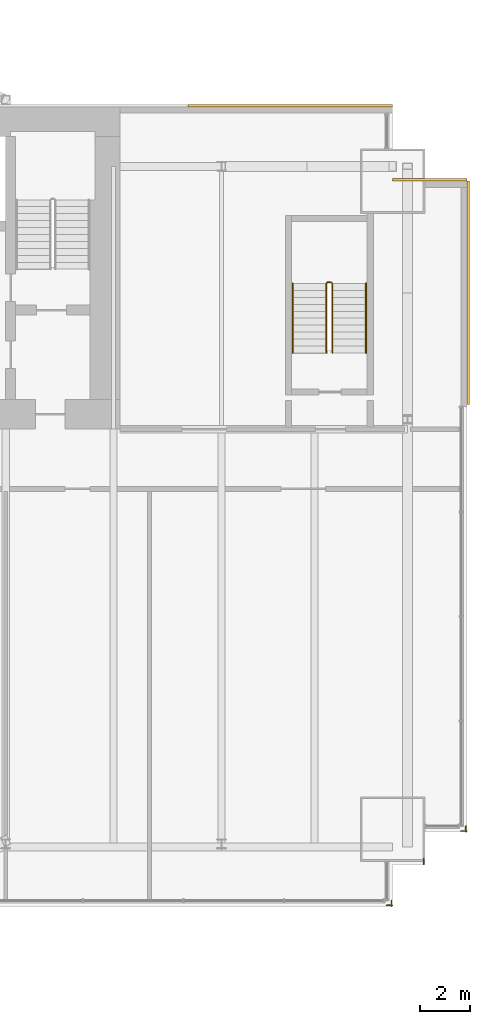
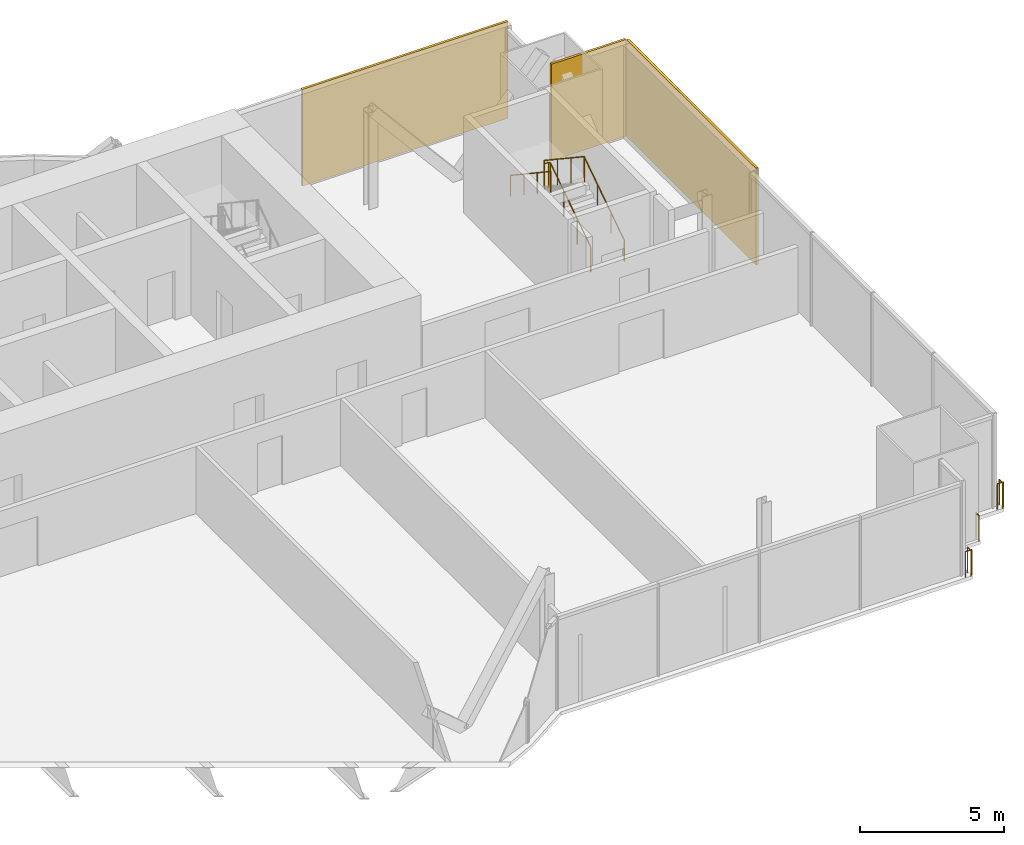
# One storey, part 20 of 20: 6 railings, 3 coverings.
"""IFC4 building model written with IfcOpenShell, lengths in metres."""

from ifc_helpers import new_model, si_unit, direction, frame, origin, origin_2d, place, context, subcontext, project, spatial, rectangle, circle, extrude, material, layer, layer_set, type_object, element, save


model = new_model("IFC4")

# Units and contexts
model_context = context("Model", 3, precision=1e-05, world=origin(), true_north=direction((0.0, 1.0)))
body_context = subcontext(model_context, "Body", "Model", "MODEL_VIEW")
ifc_project = project(units=[si_unit("LENGTHUNIT", "METRE"), si_unit("AREAUNIT", "SQUARE_METRE"), si_unit("VOLUMEUNIT", "CUBIC_METRE"), si_unit("PLANEANGLEUNIT", "RADIAN"), si_unit("MASSUNIT", "GRAM", prefix="KILO")], contexts=[model_context])

# Site, building, storey
site_placement = place(None, origin())
site = spatial("IfcSite", under=ifc_project, at=site_placement, CompositionType="ELEMENT")
building_placement = place(site_placement, origin())
building = spatial("IfcBuilding", under=site, at=building_placement, Name="Bicima Exchange Tower", CompositionType="ELEMENT")
storey_placement = place(building_placement, frame((0.0, 0.0, 207.300048828125)))
storey = spatial("IfcBuildingStorey", under=building, at=storey_placement, Name="L46", CompositionType="ELEMENT", Elevation=207.300048828125)

# Coverings
ifc_material_1 = material(Name="Bronze metal cladding")
ifc_layer_1 = layer(ifc_material_1, 0.004)
ifc_material_2 = material(Name="Ventilated cavity")
ifc_layer_2 = layer(ifc_material_2, 0.06)
ifc_material_3 = material(Name="Galvanised steel rail and mineral wool", Category="steel")
ifc_layer_3 = layer(ifc_material_3, 0.036)
ifc_layer_set = layer_set([ifc_layer_1, ifc_layer_2, ifc_layer_3], Name="Ventilated cavity")
covering_type = type_object("IfcCoveringType", Name="Bronze metal cladding panel 100", PredefinedType="CLADDING", material=ifc_layer_set)
covering_1_placement = place(storey_placement, frame((28.875, 0.050048828125, -0.150146484375), z_axis=(0.0, 0.0, 1.0), x_axis=(-1.0, 0.0, 0.0)))
element("IfcCovering", 1, at=covering_1_placement, inside=storey, type_object=covering_type, Name="Bronze cladding L46 1.1", PredefinedType="CLADDING", context=body_context, shape_type="SweptSolid", body=[
    extrude(rectangle(XDim=8.25, YDim=0.10009765625, at=origin_2d()), origin(), (0.0, 0.0, 1.0), 4.10009765625),
])
covering_2_placement = place(storey_placement, frame((36.050048828125, -7.5, -0.150146484375), z_axis=(0.0, 0.0, 1.0), x_axis=(0.0, 1.0, 0.0)))
element("IfcCovering", 2, at=covering_2_placement, inside=storey, type_object=covering_type, Name="Bronze cladding L46 50.1", PredefinedType="CLADDING", context=body_context, shape_type="SweptSolid", body=[
    extrude(rectangle(XDim=9.0, YDim=0.10009765625, at=origin_2d()), origin(), (0.0, 0.0, 1.0), 4.10009765625),
])
covering_3_placement = place(storey_placement, frame((34.5, -2.949951171875, -0.150146484375), z_axis=(0.0, 0.0, 1.0), x_axis=(-1.0, 0.0, 0.0)))
element("IfcCovering", 3, at=covering_3_placement, inside=storey, type_object=covering_type, Name="Bronze cladding L46 51.1", PredefinedType="CLADDING", context=body_context, shape_type="SweptSolid", body=[
    extrude(rectangle(XDim=3.0, YDim=0.10009765625, at=origin_2d()), origin(), (0.0, 0.0, 1.0), 4.10009765625),
])

# Railings
ifc_material_4 = material(Name="Stainless steel and bonded safety glass", Category="steel")
railing_type_1 = type_object("IfcRailingType", Name="Edge guard 1100", PredefinedType="GUARDRAIL", material=ifc_material_4)
railing_1_placement = place(storey_placement, frame((35.949951171875, -28.989990234375, 0.0)))
element("IfcRailing", 4, at=railing_1_placement, inside=storey, type_object=railing_type_1, Name="Edge guard L46 232", PredefinedType="GUARDRAIL", context=body_context, shape_type="SweptSolid", body=[
    extrude(circle(Radius=0.02392578125, at=origin_2d()), frame((0.0, 0.0, 1.076171875), z_axis=(0.0, -1.0, 0.0), x_axis=(1.0, 0.0, 0.0)), (0.0, 0.0, 1.0), 0.25),
    extrude(circle(Radius=0.02392578125, at=origin_2d()), frame((0.0, -0.25, 1.076171875), z_axis=(0.707106781187, 0.707106781187, 0.0), x_axis=(-0.707106781187, 0.707106781187, 0.0)), (0.0, 0.0, 1.0), 0.07080078125),
    extrude(circle(Radius=0.02392578125, at=origin_2d()), frame((0.050048828125, -0.199951171875, 1.076171875), z_axis=(-1.0, 0.0, 0.0), x_axis=(0.0, -1.0, 0.0)), (0.0, 0.0, 1.0), 0.242919921875),
    extrude(circle(Radius=0.02099609375, at=origin_2d()), origin(), (0.0, 0.0, 1.0), 1.052001953125),
    extrude(circle(Radius=0.02099609375, at=origin_2d()), frame((0.0, -0.25, 0.0)), (0.0, 0.0, 1.0), 1.052001953125),
    extrude(circle(Radius=0.02099609375, at=origin_2d()), frame((0.050048828125, -0.199951171875, 0.0)), (0.0, 0.0, 1.0), 1.052001953125),
    extrude(circle(Radius=0.02099609375, at=origin_2d()), frame((-0.19287109375, -0.199951171875, 0.0)), (0.0, 0.0, 1.0), 1.052001953125),
])
railing_2_placement = place(storey_placement, frame((34.25, -30.322998046875, 0.0)))
element("IfcRailing", 5, at=railing_2_placement, inside=storey, type_object=railing_type_1, Name="Edge guard L46 233", PredefinedType="GUARDRAIL", context=body_context, shape_type="SweptSolid", body=[
    extrude(circle(Radius=0.02392578125, at=origin_2d()), frame((0.0, 0.0, 1.076171875), z_axis=(0.0, -1.0, 0.0), x_axis=(1.0, 0.0, 0.0)), (0.0, 0.0, 1.0), 0.217041015625),
    extrude(circle(Radius=0.02099609375, at=origin_2d()), origin(), (0.0, 0.0, 1.0), 1.052001953125),
    extrude(circle(Radius=0.02099609375, at=origin_2d()), frame((0.0, -0.217041015625, 0.0)), (0.0, 0.0, 1.0), 1.052001953125),
])
railing_3_placement = place(storey_placement, frame((32.949951171875, -31.9970703125, 0.0)))
element("IfcRailing", 6, at=railing_3_placement, inside=storey, type_object=railing_type_1, Name="Edge guard L46 234", PredefinedType="GUARDRAIL", context=body_context, shape_type="SweptSolid", body=[
    extrude(circle(Radius=0.02392578125, at=origin_2d()), frame((0.0, 0.0, 1.076171875), z_axis=(0.0, -1.0, 0.0), x_axis=(1.0, 0.0, 0.0)), (0.0, 0.0, 1.0), 0.242919921875),
    extrude(circle(Radius=0.02392578125, at=origin_2d()), frame((0.0, -0.242919921875, 1.076171875), z_axis=(0.707106781187, 0.707106781187, 0.0), x_axis=(-0.707106781187, 0.707106781187, 0.0)), (0.0, 0.0, 1.0), 0.07080078125),
    extrude(circle(Radius=0.02392578125, at=origin_2d()), frame((0.050048828125, -0.19287109375, 1.076171875), z_axis=(-1.0, 0.0, 0.0), x_axis=(0.0, -1.0, 0.0)), (0.0, 0.0, 1.0), 0.25),
    extrude(circle(Radius=0.02099609375, at=origin_2d()), origin(), (0.0, 0.0, 1.0), 1.052001953125),
    extrude(circle(Radius=0.02099609375, at=origin_2d()), frame((0.0, -0.242919921875, 0.0)), (0.0, 0.0, 1.0), 1.052001953125),
    extrude(circle(Radius=0.02099609375, at=origin_2d()), frame((0.050048828125, -0.19287109375, 0.0)), (0.0, 0.0, 1.0), 1.052001953125),
    extrude(circle(Radius=0.02099609375, at=origin_2d()), frame((-0.199951171875, -0.19287109375, 0.0)), (0.0, 0.0, 1.0), 1.052001953125),
])
ifc_material_5 = material(Name="Stainless steel", Category="steel")
railing_type_2 = type_object("IfcRailingType", Name="Stair guard 1100", PredefinedType="GUARDRAIL", material=ifc_material_5)
railing_4_placement = place(storey_placement, frame((30.574951171875, -9.925048828125, 0.186279296875)))
element("IfcRailing", 7, at=railing_4_placement, inside=storey, type_object=railing_type_2, Name="L46 ST-EE stair guard 1", PredefinedType="GUARDRAIL", context=body_context, shape_type="SweptSolid", body=[
    extrude(circle(Radius=0.02392578125, at=origin_2d()), frame((0.0, 0.0, 1.076171875), z_axis=(0.0, 0.832452072856, 0.554097055034), x_axis=(-1.0, 0.0, 0.0)), (0.0, 0.0, 1.0), 3.363525390625),
    extrude(circle(Radius=0.02392578125, at=origin_2d()), frame((0.0, 2.800048828125, 2.93994140625), z_axis=(-0.707106781187, 0.707106781187, 0.0), x_axis=(-0.707106781187, -0.707106781187, 0.0)), (0.0, 0.0, 1.0), 0.07080078125),
    extrude(circle(Radius=0.02392578125, at=origin_2d()), frame((-0.050048828125, 2.85009765625, 2.93994140625), z_axis=(-1.0, 0.0, 0.0), x_axis=(0.0, -1.0, 0.0)), (0.0, 0.0, 1.0), 0.14990234375),
    extrude(circle(Radius=0.02392578125, at=origin_2d()), frame((-0.199951171875, 2.85009765625, 2.93994140625), z_axis=(-0.251157038772, -0.251157038772, 0.934794246747), x_axis=(0.707106781187, -0.707106781187, 0.0)), (0.0, 0.0, 1.0), 0.19921875),
    extrude(circle(Radius=0.02392578125, at=origin_2d()), frame((-0.25, 2.800048828125, 3.1259765625), z_axis=(0.0, -0.832485552168, 0.554046753832), x_axis=(1.0, 0.0, 0.0)), (0.0, 0.0, 1.0), 3.363525390625),
    extrude(circle(Radius=0.02099609375, at=origin_2d()), origin(), (0.0, 0.0, 1.0), 1.052001953125),
    extrude(circle(Radius=0.02099609375, at=origin_2d()), frame((0.0, 0.933349609375, 0.621337890625)), (0.0, 0.0, 1.0), 1.052001953125),
    extrude(circle(Radius=0.02099609375, at=origin_2d()), frame((0.0, 1.86669921875, 1.242431640625)), (0.0, 0.0, 1.0), 1.052001953125),
    extrude(circle(Radius=0.02099609375, at=origin_2d()), frame((0.0, 2.800048828125, 1.86376953125)), (0.0, 0.0, 1.0), 1.052001953125),
    extrude(circle(Radius=0.02099609375, at=origin_2d()), frame((-0.050048828125, 2.85009765625, 1.86376953125)), (0.0, 0.0, 1.0), 1.052001953125),
    extrude(circle(Radius=0.02099609375, at=origin_2d()), frame((-0.199951171875, 2.85009765625, 1.86376953125)), (0.0, 0.0, 1.0), 1.052001953125),
    extrude(circle(Radius=0.02099609375, at=origin_2d()), frame((-0.25, 2.800048828125, 2.050048828125)), (0.0, 0.0, 1.0), 1.052001953125),
    extrude(circle(Radius=0.02099609375, at=origin_2d()), frame((-0.25, 1.86669921875, 2.671142578125)), (0.0, 0.0, 1.0), 1.052001953125),
    extrude(circle(Radius=0.02099609375, at=origin_2d()), frame((-0.25, 0.933349609375, 3.29248046875)), (0.0, 0.0, 1.0), 1.052001953125),
    extrude(circle(Radius=0.02099609375, at=origin_2d()), frame((-0.25, 0.0, 3.91357421875)), (0.0, 0.0, 1.0), 1.052001953125),
])
railing_type_3 = type_object("IfcRailingType", Name="Stair handrail 900", PredefinedType="HANDRAIL", material=ifc_material_5)
railing_5_placement = place(storey_placement, frame((31.925048828125, -9.925048828125, 0.186279296875)))
element("IfcRailing", 8, at=railing_5_placement, inside=storey, type_object=railing_type_3, Name="L46 ST-EE stair handrail 1", PredefinedType="HANDRAIL", context=body_context, shape_type="SweptSolid", body=[
    extrude(circle(Radius=0.02392578125, at=origin_2d()), frame((0.0, 0.0, 0.8759765625), z_axis=(0.0, 0.832452072856, 0.554097055034), x_axis=(-1.0, 0.0, 0.0)), (0.0, 0.0, 1.0), 3.363525390625),
    extrude(circle(Radius=0.02099609375, at=origin_2d()), origin(), (0.0, 0.0, 1.0), 0.851806640625),
    extrude(circle(Radius=0.02099609375, at=origin_2d()), frame((0.0, 0.933349609375, 0.621337890625)), (0.0, 0.0, 1.0), 0.851806640625),
    extrude(circle(Radius=0.02099609375, at=origin_2d()), frame((0.0, 1.86669921875, 1.242431640625)), (0.0, 0.0, 1.0), 0.851806640625),
    extrude(circle(Radius=0.02099609375, at=origin_2d()), frame((0.0, 2.800048828125, 1.86376953125)), (0.0, 0.0, 1.0), 0.851806640625),
])
railing_6_placement = place(storey_placement, frame((28.97509765625, -7.125, 2.276611328125)))
element("IfcRailing", 9, at=railing_6_placement, inside=storey, type_object=railing_type_3, Name="L46 ST-EE stair handrail 2", PredefinedType="HANDRAIL", context=body_context, shape_type="SweptSolid", body=[
    extrude(circle(Radius=0.02392578125, at=origin_2d()), frame((0.0, 0.0, 0.8759765625), z_axis=(0.0, -0.832452072856, 0.554097055034), x_axis=(1.0, 0.0, 0.0)), (0.0, 0.0, 1.0), 3.363525390625),
    extrude(circle(Radius=0.02099609375, at=origin_2d()), origin(), (0.0, 0.0, 1.0), 0.851806640625),
    extrude(circle(Radius=0.02099609375, at=origin_2d()), frame((0.0, -0.933349609375, 0.621337890625)), (0.0, 0.0, 1.0), 0.851806640625),
    extrude(circle(Radius=0.02099609375, at=origin_2d()), frame((0.0, -1.86669921875, 1.242431640625)), (0.0, 0.0, 1.0), 0.851806640625),
    extrude(circle(Radius=0.02099609375, at=origin_2d()), frame((0.0, -2.800048828125, 1.86376953125)), (0.0, 0.0, 1.0), 0.851806640625),
])

save(model, "model.ifc")
